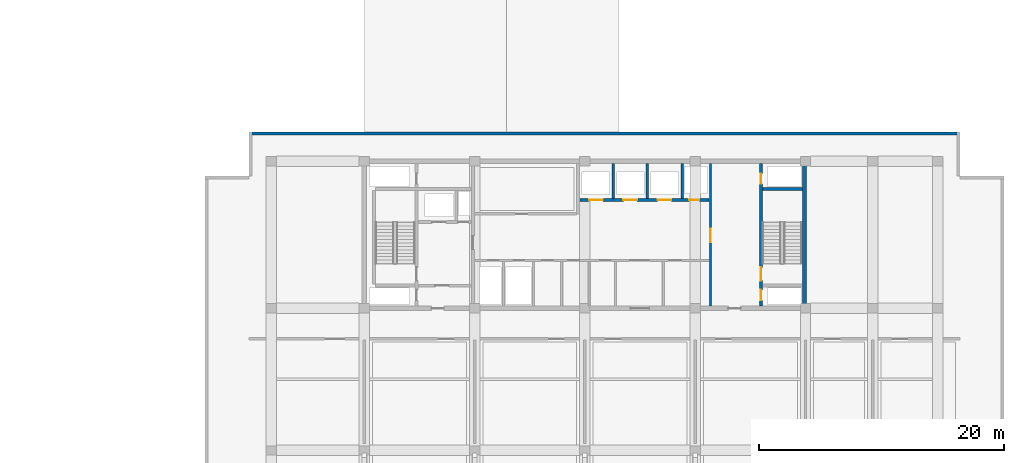
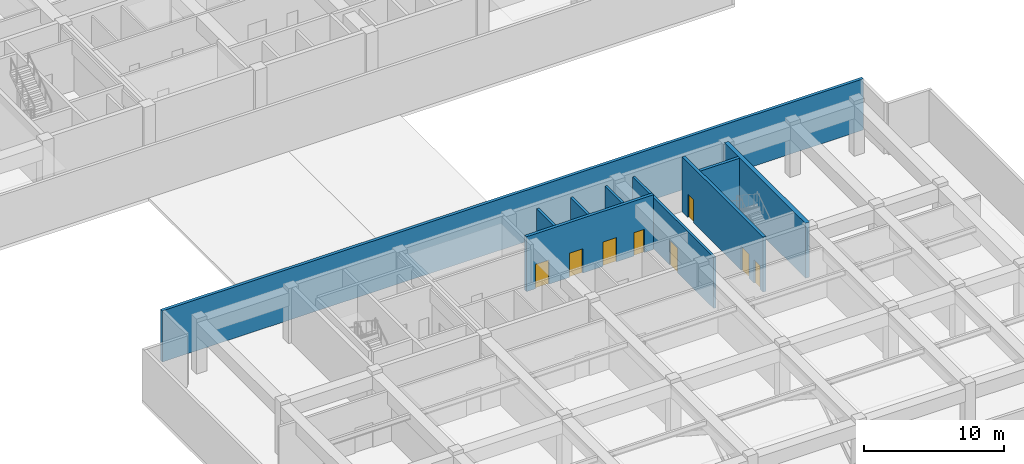
# One storey, part 9 of 22: 9 walls, 8 doors, 8 openings.
"""IFC4 building model written with IfcOpenShell, lengths in metres."""

import ifcopenshell
import ifcopenshell.guid

model = None  # the IFC model being written
_history = None  # IfcOwnerHistory: only IFC2X3 demands one
_inside = {}  # id of a spatial element -> (the spatial element, [elements in it])
_under = {}  # id of a project, library or spatial element -> (it, [spatial elements below it])
_declared = {}  # id of a project -> (the project, [libraries it declares])
_typed = {}  # id of a type object -> (the type object, [elements of that type])
_made_of = {}  # id of a material, layer set ... -> (it, [elements and type objects made of it])


def new_model(schema):
    """Start an empty IFC model of exactly this schema.

    Asked for "IFC4X3", IfcOpenShell would pick the latest addendum, in which some entities
    have other attributes; the version numbers below select the first issue.
    IFC2X3 requires an IfcOwnerHistory on every rooted entity: one is made here for all.
    """
    global model, _history
    if schema == "IFC4X3":
        model = ifcopenshell.file(schema_version=(4, 3, 0, 0))
    else:
        model = ifcopenshell.file(schema=schema)
    _inside.clear()
    _under.clear()
    _declared.clear()
    _typed.clear()
    _made_of.clear()
    _history = None
    if model.schema == "IFC2X3":
        org = make("IfcOrganization", Name="unknown")
        user = make(
            "IfcPersonAndOrganization",
            ThePerson=make("IfcPerson", FamilyName="unknown"),
            TheOrganization=org,
        )
        app = make(
            "IfcApplication",
            ApplicationDeveloper=org,
            Version="unknown",
            ApplicationFullName="unknown",
            ApplicationIdentifier="unknown",
        )
        _history = make(
            "IfcOwnerHistory",
            OwningUser=user,
            OwningApplication=app,
            ChangeAction="ADDED",
            CreationDate=0,
        )
    return model


def make(cls, **values):
    """One entity of the class cls with the attributes given. An attribute that is None is left unset."""
    return model.create_entity(
        cls, **{name: value for name, value in values.items() if value is not None}
    )


def rooted(cls, **values):
    """An entity with a GlobalId (a new one), such as an element, a storey or a relation."""
    return make(cls, GlobalId=ifcopenshell.guid.new(), OwnerHistory=_history, **values)


def si_unit(unit_type, name, prefix=None):
    """IfcSIUnit, for example si_unit("LENGTHUNIT", "METRE", prefix="MILLI")."""
    return make("IfcSIUnit", UnitType=unit_type, Prefix=prefix, Name=name)


def assignment(units):
    """IfcUnitAssignment: the units of a project."""
    return None if units is None else make("IfcUnitAssignment", Units=units)


def point(xyz):
    """IfcCartesianPoint."""
    return None if xyz is None else make("IfcCartesianPoint", Coordinates=xyz)


def direction(xyz):
    """IfcDirection."""
    return None if xyz is None else make("IfcDirection", DirectionRatios=xyz)


def frame(location, z_axis=None, x_axis=None):
    """IfcAxis2Placement3D, a coordinate frame: its origin and axes. An axis left out is left unset."""
    return make(
        "IfcAxis2Placement3D",
        Location=point(location),
        Axis=direction(z_axis),
        RefDirection=direction(x_axis),
    )


def frame_2d(location, x_axis=None):
    """IfcAxis2Placement2D, a coordinate frame in the plane: its origin and x axis."""
    return make(
        "IfcAxis2Placement2D", Location=point(location), RefDirection=direction(x_axis)
    )


def origin():
    """The frame at (0, 0, 0) with its axes left unset."""
    return frame((0.0, 0.0, 0.0))


def place(relative_to, where):
    """IfcLocalPlacement: puts the frame where relative to a parent placement (None: the world)."""
    return make(
        "IfcLocalPlacement", PlacementRelTo=relative_to, RelativePlacement=where
    )


def context(
    kind, dimensions, precision=None, world=None, true_north=None, identifier=None
):
    """IfcGeometricRepresentationContext, for example the 3D "Model" context."""
    return make(
        "IfcGeometricRepresentationContext",
        ContextIdentifier=identifier,
        ContextType=kind,
        CoordinateSpaceDimension=dimensions,
        Precision=precision,
        WorldCoordinateSystem=world,
        TrueNorth=true_north,
    )


def subcontext(parent, identifier, kind, view, scale=None):
    """IfcGeometricRepresentationSubContext, for example "Body" below "Model"."""
    return make(
        "IfcGeometricRepresentationSubContext",
        ContextIdentifier=identifier,
        ContextType=kind,
        ParentContext=parent,
        TargetScale=scale,
        TargetView=view,
    )


def project(units=None, contexts=None):
    """IfcProject with its units and contexts."""
    return rooted(
        "IfcProject",
        Name="project",
        RepresentationContexts=contexts,
        UnitsInContext=assignment(units),
    )


def spatial(cls, under=None, at=None, **own):
    """A site, building, storey or space (cls), placed at a placement, below another one or the project."""
    s = rooted(cls, ObjectPlacement=at, **own)
    if under is not None:
        _under.setdefault(under.id(), (under, []))[1].append(s)
    return s


def profile(cls, at=None, kind="AREA", **sizes):
    """A parametric profile (cls). Its sizes go by their IFC names, for example OverallWidth=200.0."""
    return make(cls, ProfileType=kind, Position=at, **sizes)


def rectangle(**sizes):
    """IfcRectangleProfileDef."""
    return profile("IfcRectangleProfileDef", **sizes)


def extrude(swept, where, along, depth):
    """IfcExtrudedAreaSolid: the profile swept, set in the frame where, extruded along a direction by depth."""
    return make(
        "IfcExtrudedAreaSolid",
        SweptArea=swept,
        Position=where,
        ExtrudedDirection=direction(along),
        Depth=depth,
    )


def shape(context_of_items, identifier, shape_type, items):
    """IfcShapeRepresentation: the items that make up one representation, for example the "Body"."""
    return make(
        "IfcShapeRepresentation",
        ContextOfItems=context_of_items,
        RepresentationIdentifier=identifier,
        RepresentationType=shape_type,
        Items=items,
    )


def material(Name=None, Category=None):
    """IfcMaterial."""
    return make("IfcMaterial", Name=Name, Category=Category)


def layer(
    of_material, thickness, ventilated=None, Name=None, Category=None, Priority=None
):
    """IfcMaterialLayer: one layer of a wall or slab, of a material (None: an air gap)."""
    return make(
        "IfcMaterialLayer",
        Material=of_material,
        LayerThickness=thickness,
        IsVentilated=ventilated,
        Name=Name,
        Category=Category,
        Priority=Priority,
    )


def layer_set(layers, Name=None):
    """IfcMaterialLayerSet."""
    return make("IfcMaterialLayerSet", MaterialLayers=layers, LayerSetName=Name)


def made_of(thing, what):
    """Note that an element or type object is made of a material, layer set ...; save() writes the relation."""
    if what is not None:
        _made_of.setdefault(what.id(), (what, []))[1].append(thing)
    return thing


def type_object(cls, material=None, **own):
    """A type object (cls), such as IfcWallType, which elements share."""
    return made_of(rooted(cls, **own), material)


def element(
    cls,
    number,
    at=None,
    inside=None,
    cuts=None,
    type_object=None,
    material=None,
    context=None,
    identifier="Body",
    shape_type=None,
    held_by="IfcProductDefinitionShape",
    body=None,
    shapes=None,
    **own,
):
    """One element of the class cls, such as IfcWall. Its Tag is "e" and its number.

    at: its placement. inside: the storey or other place that contains it. cuts: it is an
    opening in that element (IfcRelVoidsElement). A single representation is given by context,
    identifier, shape_type and body (its items); several are given by shapes. held_by: the class
    of the entity that holds the representations. save() writes the other relations.
    """
    e = rooted(cls, Tag="e%d" % number, ObjectPlacement=at, **own)
    if body is not None:
        shapes = [shape(context, identifier, shape_type, body)]
    if shapes is not None:
        e.Representation = make(held_by, Representations=shapes)
    if inside is not None:
        _inside.setdefault(inside.id(), (inside, []))[1].append(e)
    if cuts is not None:
        rooted(
            "IfcRelVoidsElement", RelatingBuildingElement=cuts, RelatedOpeningElement=e
        )
    if type_object is not None:
        _typed.setdefault(type_object.id(), (type_object, []))[1].append(e)
    return made_of(e, material)


def fill(opening, filler):
    """IfcRelFillsElement: the door or window that sits in an opening."""
    return rooted(
        "IfcRelFillsElement",
        RelatingOpeningElement=opening,
        RelatedBuildingElement=filler,
    )


def aggregate(whole, parts):
    """IfcRelAggregates: a whole, such as a stair, and the parts it consists of."""
    return rooted("IfcRelAggregates", RelatingObject=whole, RelatedObjects=parts)


def save(model, path):
    """Write the relations noted so far, then the file.

    IfcRelAggregates (storeys below a building ...), IfcRelContainedInSpatialStructure (elements
    in a storey), IfcRelDefinesByType, IfcRelAssociatesMaterial and IfcRelDeclares: one each for
    every whole, place, type object, material and project.
    """
    for whole, parts in _under.values():
        aggregate(whole, parts)
    for where, things in _inside.values():
        rooted(
            "IfcRelContainedInSpatialStructure",
            RelatedElements=things,
            RelatingStructure=where,
        )
    for kind, things in _typed.values():
        rooted("IfcRelDefinesByType", RelatedObjects=things, RelatingType=kind)
    for what, things in _made_of.values():
        rooted("IfcRelAssociatesMaterial", RelatedObjects=things, RelatingMaterial=what)
    for by, libraries in _declared.values():
        rooted("IfcRelDeclares", RelatingContext=by, RelatedDefinitions=libraries)
    model.write(path)


model = new_model("IFC4")

# Units and contexts
model_context = context("Model", 3, precision=1e-05, world=origin(), true_north=direction((0.0, 1.0)))
body_context = subcontext(model_context, "Body", "Model", "MODEL_VIEW")
ifc_project = project(units=[si_unit("LENGTHUNIT", "METRE"), si_unit("AREAUNIT", "SQUARE_METRE"), si_unit("VOLUMEUNIT", "CUBIC_METRE"), si_unit("PLANEANGLEUNIT", "RADIAN"), si_unit("MASSUNIT", "GRAM", prefix="KILO")], contexts=[model_context])

# Site, building, storey
site_placement = place(None, origin())
site = spatial("IfcSite", under=ifc_project, at=site_placement, CompositionType="ELEMENT")
building_placement = place(site_placement, origin())
building = spatial("IfcBuilding", under=site, at=building_placement, Name="Korimba Cascade Residences", CompositionType="ELEMENT")
storey_placement = place(building_placement, frame((0.0, 0.0, 157.300048828125)))
storey = spatial("IfcBuildingStorey", under=building, at=storey_placement, Name="L45", CompositionType="ELEMENT", Elevation=157.300048828125)

# Walls
ifc_material_1 = material(Name="Precast concrete C40/50", Category="concrete")
ifc_layer_1 = layer(ifc_material_1, 0.25)
ifc_layer_set_1 = layer_set([ifc_layer_1], Name="Precast concrete C40/50")
wall_type_1 = type_object("IfcWallType", Name="EW-PLNT-250", PredefinedType="SHEAR", material=ifc_layer_set_1)
wall_1_placement = place(storey_placement, frame((130.699951171875, 32.675048828125, 0.0), z_axis=(0.0, 0.0, 1.0), x_axis=(-1.0, 0.0, 0.0)))
element("IfcWall", 1, at=wall_1_placement, inside=storey, type_object=wall_type_1, Name="L45 T2 Perimeter Stone Wall E06", PredefinedType="SHEAR", context=body_context, shape_type="SweptSolid", body=[
    extrude(rectangle(XDim=58.0, YDim=0.25, at=frame_2d((29.0, 0.0))), origin(), (0.0, 0.0, 1.0), 4.47998046875),
])
ifc_material_2 = material(Name="Concrete C65/80", Category="concrete")
ifc_layer_2 = layer(ifc_material_2, 0.35009765625)
ifc_layer_set_2 = layer_set([ifc_layer_2], Name="Concrete C65/80")
wall_type_2 = type_object("IfcWallType", Name="WAL-CORE-350", PredefinedType="SHEAR", material=ifc_layer_set_2)
wall_2_placement = place(storey_placement, frame((118.014892578125, 18.574951171875, 0.0), z_axis=(0.0, 0.0, 1.0), x_axis=(0.0, 1.0, 0.0)))
element("IfcWall", 2, at=wall_2_placement, inside=storey, type_object=wall_type_2, Name="L45 Core Shear Wall CW-L45-T2-E", PredefinedType="SHEAR", context=body_context, shape_type="SweptSolid", body=[
    extrude(rectangle(XDim=11.650146484375, YDim=0.35009765625, at=frame_2d((5.8251953125, 0.0))), origin(), (0.0, 0.0, 1.0), 4.800048828125),
])
ifc_material_3 = material(Name="Concrete C40/50", Category="concrete")
ifc_layer_3 = layer(ifc_material_3, 0.199951171875)
ifc_layer_set_3 = layer_set([ifc_layer_3], Name="Concrete C40/50")
wall_type_3 = type_object("IfcWallType", Name="WAL-PART-200", PredefinedType="PARTITIONING", material=ifc_layer_set_3)
for number, where, z_axis, x_axis, name in (
    (3, (102.39990234375, 27.3798828125, 0.0), (0.0, 0.0, 1.0), (0.0, 1.0, 0.0), "L45 Partition Wall CW-L45-T2-B2D1"),
    (4, (105.199951171875, 27.3798828125, 0.0), (0.0, 0.0, 1.0), (0.0, 1.0, 0.0), "L45 Partition Wall CW-L45-T2-B2D2"),
    (5, (108.050048828125, 27.3798828125, 0.0), (0.0, 0.0, 1.0), (0.0, 1.0, 0.0), "L45 Partition Wall CW-L45-T2-B2D3"),
):
    element("IfcWall", number, at=place(storey_placement, frame(where, z_axis=z_axis, x_axis=x_axis)), inside=storey, type_object=wall_type_3, Name=name, PredefinedType="PARTITIONING", context=body_context, shape_type="SweptSolid", body=[
        extrude(rectangle(XDim=2.820068359375, YDim=0.199951171875, at=frame_2d((1.41015625, 0.0))), origin(), (0.0, 0.0, 1.0), 4.47998046875),
    ])

# Wall, opening, door
wall_3_placement = place(storey_placement, frame((110.35009765625, 18.60009765625, 0.0), z_axis=(0.0, 0.0, 1.0), x_axis=(0.0, 1.0, 0.0)))
wall_3 = element("IfcWall", 6, at=wall_3_placement, inside=storey, type_object=wall_type_3, Name="L45 Partition Wall CW-L45-T2-LLEV", PredefinedType="PARTITIONING", context=body_context, shape_type="SweptSolid", body=[
    extrude(rectangle(XDim=11.599853515625, YDim=0.199951171875, at=frame_2d((5.7998046875, 0.0))), origin(), (0.0, 0.0, 1.0), 4.47998046875),
])
opening_1_placement = place(wall_3_placement, frame((5.199951171875, 0.0, 0.0)))
opening_1 = element("IfcOpeningElement", 7, at=opening_1_placement, cuts=wall_3, Name="Opening D-FD6", PredefinedType="OPENING", context=body_context, shape_type="SweptSolid", body=[
    extrude(rectangle(XDim=1.10009765625, YDim=2.14990234375, at=frame_2d((0.550048828125, 1.074951171875))), frame((0.0, 0.10986328125, 0.0), z_axis=(0.0, -1.0, 0.0), x_axis=(1.0, 0.0, 0.0)), (0.0, 0.0, 1.0), 0.219970703125),
])
ifc_material_4 = material(Name="Fire-Rated Timber Stair Lobby Door", Category="wood")
door_type_1 = type_object("IfcDoorType", Name="DR-FD90-1100", OperationType="NOTDEFINED", PredefinedType="DOOR", material=ifc_material_4)
door_1_placement = place(opening_1_placement, origin())
door_1 = element("IfcDoor", 8, at=door_1_placement, inside=storey, type_object=door_type_1, Name="L45 T2 Lift Lobby to East Stair Lobby Door", OperationType="SINGLE_SWING_LEFT", OverallHeight=2.14990234375, OverallWidth=1.10009765625, PredefinedType="DOOR", context=body_context, shape_type="SweptSolid", body=[
    extrude(rectangle(XDim=1.10009765625, YDim=2.14990234375, at=frame_2d((0.550048828125, 1.074951171875))), frame((0.0, 0.02490234375, 0.0), z_axis=(0.0, -1.0, 0.0), x_axis=(1.0, 0.0, 0.0)), (0.0, 0.0, 1.0), 0.050048828125),
])
fill(opening_1, door_1)

# Wall, openings, doors
ifc_material_5 = material(Name="Concrete C50/60", Category="concrete")
ifc_layer_4 = layer(ifc_material_5, 0.25)
ifc_layer_set_4 = layer_set([ifc_layer_4], Name="Concrete C50/60")
wall_type_4 = type_object("IfcWallType", Name="WAL-SHAFT-250", PredefinedType="SHEAR", material=ifc_layer_set_4)
wall_4_placement = place(storey_placement, frame((99.679931640625, 27.25, 0.0), z_axis=(0.0, 0.0, 1.0), x_axis=(1.0, 0.0, 0.0)))
wall_4 = element("IfcWall", 9, at=wall_4_placement, inside=storey, type_object=wall_type_4, Name="L45 Core Shear Wall CW-L45-T2-B2S", PredefinedType="SHEAR", context=body_context, shape_type="SweptSolid", body=[
    extrude(rectangle(XDim=10.5400390625, YDim=0.25, at=frame_2d((5.27001953125, 0.0))), origin(), (0.0, 0.0, 1.0), 4.800048828125),
])
opening_2_placement = place(wall_4_placement, frame((0.760009765625, 0.0, 0.0)))
opening_2 = element("IfcOpeningElement", 10, at=opening_2_placement, cuts=wall_4, Name="Opening LD-01", PredefinedType="OPENING", context=body_context, shape_type="SweptSolid", body=[
    extrude(rectangle(XDim=1.1201171875, YDim=2.1201171875, at=frame_2d((0.56005859375, 1.06005859375))), frame((0.0, 0.135009765625, 0.0), z_axis=(0.0, -1.0, 0.0), x_axis=(1.0, 0.0, 0.0)), (0.0, 0.0, 1.0), 0.27001953125),
])
opening_3_placement = place(wall_4_placement, frame((3.56005859375, 0.0, 0.0)))
opening_3 = element("IfcOpeningElement", 11, at=opening_3_placement, cuts=wall_4, Name="Opening LD-01", PredefinedType="OPENING", context=body_context, shape_type="SweptSolid", body=[
    extrude(rectangle(XDim=1.1201171875, YDim=2.1201171875, at=frame_2d((0.56005859375, 1.06005859375))), frame((0.0, 0.135009765625, 0.0), z_axis=(0.0, -1.0, 0.0), x_axis=(1.0, 0.0, 0.0)), (0.0, 0.0, 1.0), 0.27001953125),
])
opening_4_placement = place(wall_4_placement, frame((6.360107421875, 0.0, 0.0)))
opening_4 = element("IfcOpeningElement", 12, at=opening_4_placement, cuts=wall_4, Name="Opening LD-01", PredefinedType="OPENING", context=body_context, shape_type="SweptSolid", body=[
    extrude(rectangle(XDim=1.1201171875, YDim=2.1201171875, at=frame_2d((0.56005859375, 1.06005859375))), frame((0.0, 0.135009765625, 0.0), z_axis=(0.0, -1.0, 0.0), x_axis=(1.0, 0.0, 0.0)), (0.0, 0.0, 1.0), 0.27001953125),
])
opening_5_placement = place(wall_4_placement, frame((8.919921875, 0.0, 0.0)))
opening_5 = element("IfcOpeningElement", 13, at=opening_5_placement, cuts=wall_4, Name="Opening D-RS1", PredefinedType="OPENING", context=body_context, shape_type="SweptSolid", body=[
    extrude(rectangle(XDim=0.85009765625, YDim=2.050048828125, at=frame_2d((0.425048828125, 1.02490234375))), frame((0.0, 0.135009765625, 0.0), z_axis=(0.0, -1.0, 0.0), x_axis=(1.0, 0.0, 0.0)), (0.0, 0.0, 1.0), 0.27001953125),
])
ifc_material_6 = material(Name="Fire-Rated Steel Riser Access Door", Category="steel")
door_type_2 = type_object("IfcDoorType", Name="DR-FD60-850", OperationType="NOTDEFINED", PredefinedType="DOOR", material=ifc_material_6)
door_2_placement = place(opening_5_placement, origin())
door_2 = element("IfcDoor", 14, at=door_2_placement, inside=storey, type_object=door_type_2, Name="L45 T2 Duct Door", OperationType="SINGLE_SWING_RIGHT", OverallHeight=2.050048828125, OverallWidth=0.85009765625, PredefinedType="DOOR", context=body_context, shape_type="SweptSolid", body=[
    extrude(rectangle(XDim=0.85009765625, YDim=2.050048828125, at=frame_2d((0.425048828125, 1.02490234375))), frame((0.0, 0.02490234375, 0.0), z_axis=(0.0, -1.0, 0.0), x_axis=(1.0, 0.0, 0.0)), (0.0, 0.0, 1.0), 0.050048828125),
])
fill(opening_5, door_2)
ifc_material_7 = material(Name="Stainless Steel Lift Landing Sliding Door", Category="steel")
door_type_3 = type_object("IfcDoorType", Name="DR-LIFT-1100", OperationType="NOTDEFINED", PredefinedType="DOOR", material=ifc_material_7)
door_3_placement = place(opening_2_placement, origin())
door_3 = element("IfcDoor", 15, at=door_3_placement, inside=storey, type_object=door_type_3, Name="L45 Lift Landing Door PL-E4", OperationType="SLIDING_TO_RIGHT", OverallHeight=2.1201171875, OverallWidth=1.1201171875, PredefinedType="DOOR", context=body_context, shape_type="SweptSolid", body=[
    extrude(rectangle(XDim=1.1201171875, YDim=2.1201171875, at=frame_2d((0.56005859375, 1.06005859375))), frame((0.0, 0.02490234375, 0.0), z_axis=(0.0, -1.0, 0.0), x_axis=(1.0, 0.0, 0.0)), (0.0, 0.0, 1.0), 0.050048828125),
])
fill(opening_2, door_3)
door_4_placement = place(opening_3_placement, origin())
door_4 = element("IfcDoor", 16, at=door_4_placement, inside=storey, type_object=door_type_3, Name="L45 Lift Landing Door PL-E5", OperationType="SLIDING_TO_RIGHT", OverallHeight=2.1201171875, OverallWidth=1.1201171875, PredefinedType="DOOR", context=body_context, shape_type="SweptSolid", body=[
    extrude(rectangle(XDim=1.1201171875, YDim=2.1201171875, at=frame_2d((0.56005859375, 1.06005859375))), frame((0.0, 0.02490234375, 0.0), z_axis=(0.0, -1.0, 0.0), x_axis=(1.0, 0.0, 0.0)), (0.0, 0.0, 1.0), 0.050048828125),
])
fill(opening_3, door_4)
door_5_placement = place(opening_4_placement, origin())
door_5 = element("IfcDoor", 17, at=door_5_placement, inside=storey, type_object=door_type_3, Name="L45 Lift Landing Door PL-E6", OperationType="SLIDING_TO_RIGHT", OverallHeight=2.1201171875, OverallWidth=1.1201171875, PredefinedType="DOOR", context=body_context, shape_type="SweptSolid", body=[
    extrude(rectangle(XDim=1.1201171875, YDim=2.1201171875, at=frame_2d((0.56005859375, 1.06005859375))), frame((0.0, 0.02490234375, 0.0), z_axis=(0.0, -1.0, 0.0), x_axis=(1.0, 0.0, 0.0)), (0.0, 0.0, 1.0), 0.050048828125),
])
fill(opening_4, door_5)

wall_5_placement = place(storey_placement, frame((114.47509765625, 18.60009765625, 0.0), z_axis=(0.0, 0.0, 1.0), x_axis=(0.0, 1.0, 0.0)))
wall_5 = element("IfcWall", 18, at=wall_5_placement, inside=storey, type_object=wall_type_4, Name="L45 Core Shear Wall CW-L45-T2-STE2W", PredefinedType="SHEAR", context=body_context, shape_type="SweptSolid", body=[
    extrude(rectangle(XDim=11.599853515625, YDim=0.25, at=frame_2d((5.7998046875, 0.0))), origin(), (0.0, 0.0, 1.0), 4.800048828125),
])
opening_6_placement = place(wall_5_placement, frame((0.449951171875, 0.0, 0.0)))
opening_6 = element("IfcOpeningElement", 19, at=opening_6_placement, cuts=wall_5, Name="Opening D-RS1", PredefinedType="OPENING", context=body_context, shape_type="SweptSolid", body=[
    extrude(rectangle(XDim=0.85009765625, YDim=2.050048828125, at=frame_2d((0.425048828125, 1.02490234375))), frame((0.0, 0.135009765625, 0.0), z_axis=(0.0, -1.0, 0.0), x_axis=(1.0, 0.0, 0.0)), (0.0, 0.0, 1.0), 0.27001953125),
])
opening_7_placement = place(wall_5_placement, frame((2.050048828125, 0.0, 0.0)))
opening_7 = element("IfcOpeningElement", 20, at=opening_7_placement, cuts=wall_5, Name="Opening D-FD1", PredefinedType="OPENING", context=body_context, shape_type="SweptSolid", body=[
    extrude(rectangle(XDim=1.10009765625, YDim=2.10009765625, at=frame_2d((0.550048828125, 1.050048828125))), frame((0.0, 0.135009765625, 0.0), z_axis=(0.0, -1.0, 0.0), x_axis=(1.0, 0.0, 0.0)), (0.0, 0.0, 1.0), 0.27001953125),
])
opening_8_placement = place(wall_5_placement, frame((9.949951171875, 0.0, 0.0)))
opening_8 = element("IfcOpeningElement", 21, at=opening_8_placement, cuts=wall_5, Name="Opening D-RS1", PredefinedType="OPENING", context=body_context, shape_type="SweptSolid", body=[
    extrude(rectangle(XDim=0.85009765625, YDim=2.050048828125, at=frame_2d((0.425048828125, 1.02490234375))), frame((0.0, 0.135009765625, 0.0), z_axis=(0.0, -1.0, 0.0), x_axis=(1.0, 0.0, 0.0)), (0.0, 0.0, 1.0), 0.27001953125),
])
ifc_material_8 = material(Name="Fire-Rated Steel Core Door", Category="steel")
door_type_4 = type_object("IfcDoorType", Name="DR-FD120-1100", OperationType="NOTDEFINED", PredefinedType="DOOR", material=ifc_material_8)
door_6_placement = place(opening_7_placement, origin())
door_6 = element("IfcDoor", 22, at=door_6_placement, inside=storey, type_object=door_type_4, Name="L45 Fire Stair ST-E2 Door", OperationType="SINGLE_SWING_LEFT", OverallHeight=2.10009765625, OverallWidth=1.10009765625, PredefinedType="DOOR", context=body_context, shape_type="SweptSolid", body=[
    extrude(rectangle(XDim=1.10009765625, YDim=2.10009765625, at=frame_2d((0.550048828125, 1.050048828125))), frame((0.0, 0.02490234375, 0.0), z_axis=(0.0, -1.0, 0.0), x_axis=(1.0, 0.0, 0.0)), (0.0, 0.0, 1.0), 0.050048828125),
])
fill(opening_7, door_6)
door_7_placement = place(opening_6_placement, origin())
door_7 = element("IfcDoor", 23, at=door_7_placement, inside=storey, type_object=door_type_2, Name="L45 T2 East Hydrant Door", OperationType="SINGLE_SWING_RIGHT", OverallHeight=2.050048828125, OverallWidth=0.85009765625, PredefinedType="DOOR", context=body_context, shape_type="SweptSolid", body=[
    extrude(rectangle(XDim=0.85009765625, YDim=2.050048828125, at=frame_2d((0.425048828125, 1.02490234375))), frame((0.0, 0.02490234375, 0.0), z_axis=(0.0, -1.0, 0.0), x_axis=(1.0, 0.0, 0.0)), (0.0, 0.0, 1.0), 0.050048828125),
])
fill(opening_6, door_7)
door_8_placement = place(opening_8_placement, origin())
door_8 = element("IfcDoor", 24, at=door_8_placement, inside=storey, type_object=door_type_2, Name="L45 T2 East Riser Door", OperationType="SINGLE_SWING_RIGHT", OverallHeight=2.050048828125, OverallWidth=0.85009765625, PredefinedType="DOOR", context=body_context, shape_type="SweptSolid", body=[
    extrude(rectangle(XDim=0.85009765625, YDim=2.050048828125, at=frame_2d((0.425048828125, 1.02490234375))), frame((0.0, 0.02490234375, 0.0), z_axis=(0.0, -1.0, 0.0), x_axis=(1.0, 0.0, 0.0)), (0.0, 0.0, 1.0), 0.050048828125),
])
fill(opening_8, door_8)

# Wall
wall_6_placement = place(storey_placement, frame((114.60009765625, 28.125, 0.0), z_axis=(0.0, 0.0, 1.0), x_axis=(1.0, 0.0, 0.0)))
element("IfcWall", 25, at=wall_6_placement, inside=storey, type_object=wall_type_4, Name="L45 Core Shear Wall CW-L45-T2-STE2N", PredefinedType="SHEAR", context=body_context, shape_type="SweptSolid", body=[
    extrude(rectangle(XDim=3.239990234375, YDim=0.25, at=frame_2d((1.6201171875, 0.0))), origin(), (0.0, 0.0, 1.0), 4.800048828125),
])

save(model, "model.ifc")
